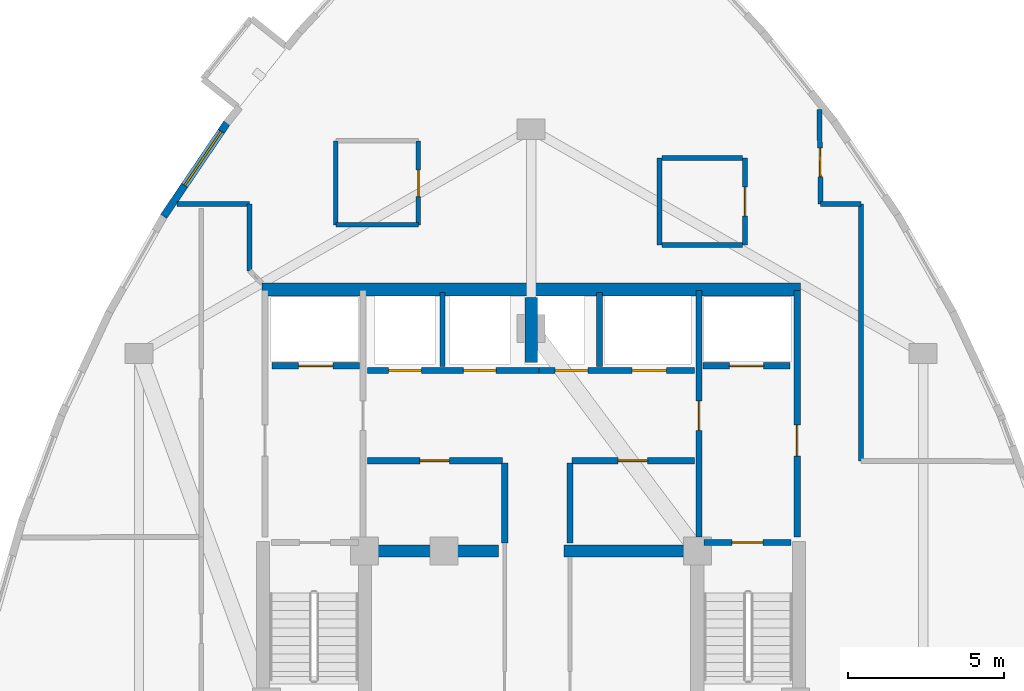
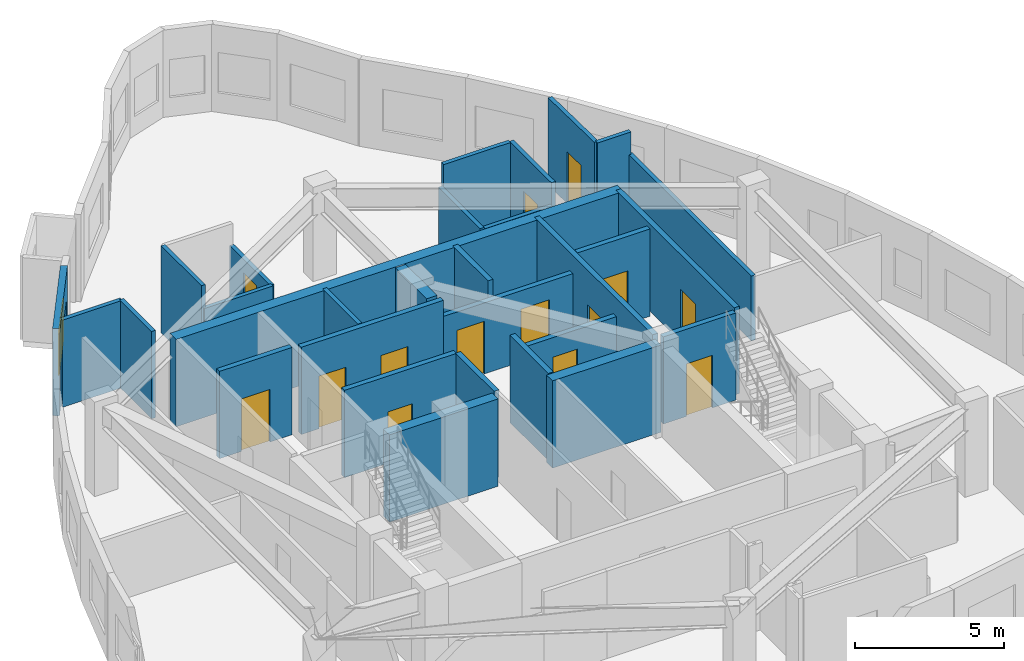
# One storey, part 6 of 9: 30 walls, 14 doors, 1 window, 15 openings.
"""IFC4 building model written with IfcOpenShell, lengths in metres."""

from ifc_helpers import new_model, si_unit, direction, frame, frame_2d, origin, place, context, subcontext, project, spatial, rectangle, extrude, material, layer, layer_set, type_object, element, fill, save


model = new_model("IFC4")

# Units and contexts
model_context = context("Model", 3, precision=1e-05, world=origin(), true_north=direction((0.0, 1.0)))
body_context = subcontext(model_context, "Body", "Model", "MODEL_VIEW")
ifc_project = project(units=[si_unit("LENGTHUNIT", "METRE"), si_unit("AREAUNIT", "SQUARE_METRE"), si_unit("VOLUMEUNIT", "CUBIC_METRE"), si_unit("PLANEANGLEUNIT", "RADIAN"), si_unit("MASSUNIT", "GRAM", prefix="KILO")], contexts=[model_context])

# Site, building, storey
site_placement = place(None, origin())
site = spatial("IfcSite", under=ifc_project, at=site_placement, CompositionType="ELEMENT")
building_placement = place(site_placement, origin())
building = spatial("IfcBuilding", under=site, at=building_placement, Name="Miruveldt Soraemaru", CompositionType="ELEMENT")
storey_placement = place(building_placement, frame((0.0, 0.0, 275.10009765625)))
storey = spatial("IfcBuildingStorey", under=building, at=storey_placement, Name="L75", CompositionType="ELEMENT", Elevation=275.10009765625)

# Walls
ifc_material_1 = material(Name="Concrete C70/85 (70 MPa)", Category="concrete")
ifc_layer_1 = layer(ifc_material_1, 0.5, Name="Concrete C70/85 (70 MPa)", Category="concrete")
ifc_layer_set_1 = layer_set([ifc_layer_1], Name="Concrete C70/85 (70 MPa)")
wall_type_1 = type_object("IfcWallType", Name="WALL-BW-500", PredefinedType="SHEAR", material=ifc_layer_set_1)
wall_1_placement = place(storey_placement, frame((44.0, 50.10009765625, 0.0), z_axis=(0.0, 0.0, 1.0), x_axis=(0.0, 1.0, 0.0)))
element("IfcWall", 1, at=wall_1_placement, inside=storey, type_object=wall_type_1, Name="L75 Core Buttress Shear Wall BN", PredefinedType="SHEAR", context=body_context, shape_type="SweptSolid", body=[
    extrude(rectangle(XDim=2.099853515625, YDim=0.39990234375, at=frame_2d((1.0498046875, 0.0))), origin(), (0.0, 0.0, 1.0), 3.56494140625),
])
for number, where, z_axis, x_axis, name in (
    (2, (38.75, 44.050048828125, 0.0), (0.0, 0.0, 1.0), (1.0, 0.0, 0.0), "L75 Core Buttress Shear Wall BW"),
    (3, (45.050048828125, 44.050048828125, 0.0), (0.0, 0.0, 1.0), (1.0, 0.0, 0.0), "L75 Core Buttress Shear Wall BE"),
):
    element("IfcWall", number, at=place(storey_placement, frame(where, z_axis=z_axis, x_axis=x_axis)), inside=storey, type_object=wall_type_1, Name=name, PredefinedType="SHEAR", context=body_context, shape_type="SweptSolid", body=[
        extrude(rectangle(XDim=4.199951171875, YDim=0.39990234375, at=frame_2d((2.10009765625, 0.0))), origin(), (0.0, 0.0, 1.0), 3.56494140625),
    ])
ifc_material_2 = material(Name="Concrete C50/60 (50 MPa)", Category="concrete")
ifc_layer_2 = layer(ifc_material_2, 0.419921875, Name="Concrete C50/60 (50 MPa)", Category="concrete")
ifc_layer_set_2 = layer_set([ifc_layer_2], Name="Concrete C50/60 (50 MPa)")
wall_type_2 = type_object("IfcWallType", Name="WALL-CW-420", PredefinedType="SHEAR", material=ifc_layer_set_2)
wall_2_placement = place(storey_placement, frame((35.35009765625, 52.449951171875, 0.0), z_axis=(0.0, 0.0, 1.0), x_axis=(1.0, 0.0, 0.0)))
element("IfcWall", 4, at=wall_2_placement, inside=storey, type_object=wall_type_2, Name="L75 Central Core Shear Wall N", PredefinedType="SHEAR", context=body_context, shape_type="SweptSolid", body=[
    extrude(rectangle(XDim=17.2998046875, YDim=0.419921875, at=frame_2d((8.64990234375, 0.0))), origin(), (0.0, 0.0, 1.0), 3.56494140625),
])

# Wall, opening, window
ifc_material_3 = material(Name="Precast concrete C45/55 (45 MPa)", Category="concrete")
ifc_layer_3 = layer(ifc_material_3, 0.239990234375, Name="Precast concrete C45/55 (45 MPa)", Category="concrete")
ifc_layer_set_3 = layer_set([ifc_layer_3], Name="Precast concrete C45/55 (45 MPa)")
wall_type_3 = type_object("IfcWallType", Name="WALL-EXT-PC240", PredefinedType="SOLIDWALL", material=ifc_layer_set_3)
wall_3_placement = place(storey_placement, frame((34.2626953125, 57.860595703125, 0.0), z_axis=(0.0, 0.0, 1.0), x_axis=(-0.560834985452, -0.827927604983, 0.0)))
wall_3 = element("IfcWall", 5, at=wall_3_placement, inside=storey, type_object=wall_type_3, Name="L75 Precast Concrete Facade Wall 9", PredefinedType="SOLIDWALL", context=body_context, shape_type="SweptSolid", body=[
    extrude(rectangle(XDim=3.69189453125, YDim=0.239990234375, at=frame_2d((1.845947265625, 0.0))), origin(), (0.0, 0.0, 1.0), 3.56494140625),
])
opening_1_placement = place(wall_3_placement, frame((0.39111328125, 0.0, 0.800048828125)))
opening_1 = element("IfcOpeningElement", 6, at=opening_1_placement, cuts=wall_3, Name="Opening WN-1", PredefinedType="OPENING", context=body_context, shape_type="SweptSolid", body=[
    extrude(rectangle(XDim=2.10009765625, YDim=1.699951171875, at=frame_2d((1.050048828125, 0.85009765625))), frame((0.0, 0.1298828125, 0.0), z_axis=(0.0, -1.0, 0.0), x_axis=(1.0, 0.0, 0.0)), (0.0, 0.0, 1.0), 0.260009765625),
])
ifc_material_4 = material(Name="Triple low-e insulated glazing", Category="glass")
window_type = type_object("IfcWindowType", Name="WIN-PUNCH-2100x1700", PartitioningType="SINGLE_PANEL", PredefinedType="WINDOW", material=ifc_material_4)
window_placement = place(opening_1_placement, origin())
window = element("IfcWindow", 7, at=window_placement, inside=storey, type_object=window_type, Name="L75 Punched Triple-Glazed Window 09.1", OverallHeight=1.699951171875, OverallWidth=2.10009765625, PartitioningType="SINGLE_PANEL", PredefinedType="WINDOW", context=body_context, shape_type="SweptSolid", body=[
    extrude(rectangle(XDim=2.10009765625, YDim=1.699951171875, at=frame_2d((1.050048828125, 0.85009765625))), frame((0.0, 0.030029296875, 0.0), z_axis=(0.0, -1.0, 0.0), x_axis=(1.0, 0.0, 0.0)), (0.0, 0.0, 1.0), 0.06005859375),
])
fill(opening_1, window)

# Wall, opening, door
ifc_material_5 = material(Name="Gypsum plasterboard lining", Category="gypsum")
ifc_layer_4 = layer(ifc_material_5, 0.14990234375, Name="Gypsum plasterboard lining", Category="gypsum")
ifc_layer_set_4 = layer_set([ifc_layer_4], Name="Gypsum plasterboard lining")
wall_type_4 = type_object("IfcWallType", Name="WALL-INT-PLUMB", PredefinedType="PLUMBINGWALL", material=ifc_layer_set_4)
wall_4_placement = place(storey_placement, frame((40.376953125, 54.530029296875, 0.0), z_axis=(0.0, 0.0, 1.0), x_axis=(0.0, 1.0, 0.0)))
wall_4 = element("IfcWall", 8, at=wall_4_placement, inside=storey, type_object=wall_type_4, Name="L75 Partition Wall 13", PredefinedType="PLUMBINGWALL", context=body_context, shape_type="SweptSolid", body=[
    extrude(rectangle(XDim=2.699951171875, YDim=0.14990234375, at=frame_2d((1.35009765625, 0.0))), origin(), (0.0, 0.0, 1.0), 2.65283203125),
])
opening_2_placement = place(wall_4_placement, frame((0.909912109375, 0.0, 0.0)))
opening_2 = element("IfcOpeningElement", 9, at=opening_2_placement, cuts=wall_4, Name="Opening FD3", PredefinedType="OPENING", context=body_context, shape_type="SweptSolid", body=[
    extrude(rectangle(XDim=0.85009765625, YDim=2.10009765625, at=frame_2d((0.425048828125, 1.050048828125))), frame((0.0, 0.0849609375, 0.0), z_axis=(0.0, -1.0, 0.0), x_axis=(1.0, 0.0, 0.0)), (0.0, 0.0, 1.0), 0.169921875),
])
ifc_material_6 = material(Name="Anodised aluminium EN AW-6063 T6", Category="aluminium")
door_type_1 = type_object("IfcDoorType", Name="DOOR-FD3-850", OperationType="NOTDEFINED", PredefinedType="DOOR", material=ifc_material_6)
door_1_placement = place(opening_2_placement, origin())
door_1 = element("IfcDoor", 10, at=door_1_placement, inside=storey, type_object=door_type_1, Name="L75 Unit CL01 BTH Door", OperationType="SINGLE_SWING_RIGHT", OverallHeight=2.10009765625, OverallWidth=0.85009765625, PredefinedType="DOOR", context=body_context, shape_type="SweptSolid", body=[
    extrude(rectangle(XDim=0.85009765625, YDim=2.10009765625, at=frame_2d((0.425048828125, 1.050048828125))), frame((0.0, 0.02490234375, 0.0), z_axis=(0.0, -1.0, 0.0), x_axis=(1.0, 0.0, 0.0)), (0.0, 0.0, 1.0), 0.050048828125),
])
fill(opening_2, door_1)

# Walls
wall_5_placement = place(storey_placement, frame((37.72705078125, 57.22998046875, 0.0), z_axis=(0.0, 0.0, 1.0), x_axis=(0.0, -1.0, 0.0)))
element("IfcWall", 11, at=wall_5_placement, inside=storey, type_object=wall_type_4, Name="L75 Partition Wall 15", PredefinedType="PLUMBINGWALL", context=body_context, shape_type="SweptSolid", body=[
    extrude(rectangle(XDim=2.699951171875, YDim=0.14990234375, at=frame_2d((1.35009765625, 0.0))), origin(), (0.0, 0.0, 1.0), 3.56494140625),
])
wall_6_placement = place(storey_placement, frame((37.72705078125, 54.530029296875, 0.0), z_axis=(0.0, 0.0, 1.0), x_axis=(1.0, 0.0, 0.0)))
element("IfcWall", 12, at=wall_6_placement, inside=storey, type_object=wall_type_4, Name="L75 Partition Wall 16", PredefinedType="PLUMBINGWALL", context=body_context, shape_type="SweptSolid", body=[
    extrude(rectangle(XDim=2.64990234375, YDim=0.14990234375, at=frame_2d((1.324951171875, 0.0))), origin(), (0.0, 0.0, 1.0), 2.65283203125),
])

# Wall, opening, door
ifc_material_7 = material(Name="Concrete C40/50 (40 MPa)", Category="concrete")
ifc_layer_5 = layer(ifc_material_7, 0.159912109375, Name="Concrete C40/50 (40 MPa)", Category="concrete")
ifc_layer_set_5 = layer_set([ifc_layer_5], Name="Concrete C40/50 (40 MPa)")
wall_type_5 = type_object("IfcWallType", Name="WALL-INT-RC160", PredefinedType="SOLIDWALL", material=ifc_layer_set_5)
wall_7_placement = place(storey_placement, frame((53.304931640625, 55.199951171875, 0.0), z_axis=(0.0, 0.0, 1.0), x_axis=(-0.014151043498, 0.999899868971, 0.0)))
wall_7 = element("IfcWall", 13, at=wall_7_placement, inside=storey, type_object=wall_type_5, Name="L75 Partition Wall 21", PredefinedType="SOLIDWALL", context=body_context, shape_type="SweptSolid", body=[
    extrude(rectangle(XDim=3.036376953125, YDim=0.159912109375, at=frame_2d((1.51806640625, 0.0))), origin(), (0.0, 0.0, 1.0), 3.56494140625),
])
opening_3_placement = place(wall_7_placement, frame((0.8779296875, 0.0, 0.0)))
opening_3 = element("IfcOpeningElement", 14, at=opening_3_placement, cuts=wall_7, Name="Opening D3A", PredefinedType="OPENING", context=body_context, shape_type="SweptSolid", body=[
    extrude(rectangle(XDim=0.919921875, YDim=2.10009765625, at=frame_2d((0.4599609375, 1.050048828125))), frame((0.0, 0.08984375, 0.0), z_axis=(0.0, -1.0, 0.0), x_axis=(1.0, 0.0, 0.0)), (0.0, 0.0, 1.0), 0.179931640625),
])
door_type_2 = type_object("IfcDoorType", Name="DOOR-INT-920", OperationType="NOTDEFINED", PredefinedType="DOOR", material=ifc_material_6)
door_2_placement = place(opening_3_placement, origin())
door_2 = element("IfcDoor", 15, at=door_2_placement, inside=storey, type_object=door_type_2, Name="L75 Unit CL01 EXT Door", OperationType="SINGLE_SWING_RIGHT", OverallHeight=2.10009765625, OverallWidth=0.919921875, PredefinedType="DOOR", context=body_context, shape_type="SweptSolid", body=[
    extrude(rectangle(XDim=0.919921875, YDim=2.10009765625, at=frame_2d((0.4599609375, 1.050048828125))), frame((0.0, 0.02490234375, 0.0), z_axis=(0.0, -1.0, 0.0), x_axis=(1.0, 0.0, 0.0)), (0.0, 0.0, 1.0), 0.050048828125),
])
fill(opening_3, door_2)

wall_8_placement = place(storey_placement, frame((50.876953125, 53.8798828125, 0.0), z_axis=(0.0, 0.0, 1.0), x_axis=(0.0, 1.0, 0.0)))
wall_8 = element("IfcWall", 16, at=wall_8_placement, inside=storey, type_object=wall_type_5, Name="L75 Partition Wall 17", PredefinedType="SOLIDWALL", context=body_context, shape_type="SweptSolid", body=[
    extrude(rectangle(XDim=2.800048828125, YDim=0.159912109375, at=frame_2d((1.39990234375, 0.0))), origin(), (0.0, 0.0, 1.0), 3.56494140625),
])
opening_4_placement = place(wall_8_placement, frame((0.93994140625, 0.0, 0.0)))
opening_4 = element("IfcOpeningElement", 17, at=opening_4_placement, cuts=wall_8, Name="Opening D3A", PredefinedType="OPENING", context=body_context, shape_type="SweptSolid", body=[
    extrude(rectangle(XDim=0.919921875, YDim=2.10009765625, at=frame_2d((0.4599609375, 1.050048828125))), frame((0.0, 0.08984375, 0.0), z_axis=(0.0, -1.0, 0.0), x_axis=(1.0, 0.0, 0.0)), (0.0, 0.0, 1.0), 0.179931640625),
])
door_3_placement = place(opening_4_placement, origin())
door_3 = element("IfcDoor", 18, at=door_3_placement, inside=storey, type_object=door_type_2, Name="L75 Unit CL01 KIT Door", OperationType="SINGLE_SWING_LEFT", OverallHeight=2.10009765625, OverallWidth=0.919921875, PredefinedType="DOOR", context=body_context, shape_type="SweptSolid", body=[
    extrude(rectangle(XDim=0.919921875, YDim=2.10009765625, at=frame_2d((0.4599609375, 1.050048828125))), frame((0.0, 0.02490234375, 0.0), z_axis=(0.0, -1.0, 0.0), x_axis=(1.0, 0.0, 0.0)), (0.0, 0.0, 1.0), 0.050048828125),
])
fill(opening_4, door_3)

# Walls
wall_9_placement = place(storey_placement, frame((54.60009765625, 46.949951171875, 0.0), z_axis=(0.0, 0.0, 1.0), x_axis=(0.0, 1.0, 0.0)))
element("IfcWall", 19, at=wall_9_placement, inside=storey, type_object=wall_type_5, Name="L75 Partition Wall 32", PredefinedType="SOLIDWALL", context=body_context, shape_type="SweptSolid", body=[
    extrude(rectangle(XDim=8.25, YDim=0.159912109375, at=frame_2d((4.125, 0.0))), origin(), (0.0, 0.0, 1.0), 2.65283203125),
])
wall_10_placement = place(storey_placement, frame((48.126953125, 56.679931640625, 0.0), z_axis=(0.0, 0.0, 1.0), x_axis=(0.0, -1.0, 0.0)))
element("IfcWall", 20, at=wall_10_placement, inside=storey, type_object=wall_type_5, Name="L75 Partition Wall 19", PredefinedType="SOLIDWALL", context=body_context, shape_type="SweptSolid", body=[
    extrude(rectangle(XDim=2.800048828125, YDim=0.159912109375, at=frame_2d((1.39990234375, 0.0))), origin(), (0.0, 0.0, 1.0), 2.65283203125),
])
wall_11_placement = place(storey_placement, frame((50.797119140625, 56.679931640625, 0.0), z_axis=(0.0, 0.0, 1.0), x_axis=(-1.0, 0.0, 0.0)))
element("IfcWall", 21, at=wall_11_placement, inside=storey, type_object=wall_type_5, Name="L75 Partition Wall 18", PredefinedType="SOLIDWALL", context=body_context, shape_type="SweptSolid", body=[
    extrude(rectangle(XDim=2.590087890625, YDim=0.159912109375, at=frame_2d((1.294921875, 0.0))), origin(), (0.0, 0.0, 1.0), 3.56494140625),
])
wall_12_placement = place(storey_placement, frame((48.20703125, 53.8798828125, 0.0), z_axis=(0.0, 0.0, 1.0), x_axis=(1.0, 0.0, 0.0)))
element("IfcWall", 22, at=wall_12_placement, inside=storey, type_object=wall_type_5, Name="L75 Partition Wall 20", PredefinedType="SOLIDWALL", context=body_context, shape_type="SweptSolid", body=[
    extrude(rectangle(XDim=2.590087890625, YDim=0.159912109375, at=frame_2d((1.294921875, 0.0))), origin(), (0.0, 0.0, 1.0), 2.65283203125),
])
wall_13_placement = place(storey_placement, frame((41.14990234375, 49.97998046875, 0.0), z_axis=(0.0, 0.0, 1.0), x_axis=(0.0, 1.0, 0.0)))
element("IfcWall", 23, at=wall_13_placement, inside=storey, type_object=wall_type_5, Name="L75 Core Compartment Wall PLH-DIV1", PredefinedType="SOLIDWALL", context=body_context, shape_type="SweptSolid", body=[
    extrude(rectangle(XDim=2.3701171875, YDim=0.159912109375, at=frame_2d((1.18505859375, 0.0))), origin(), (0.0, 0.0, 1.0), 3.56494140625),
])
wall_14_placement = place(storey_placement, frame((34.949951171875, 55.199951171875, 0.0), z_axis=(0.0, 0.0, 1.0), x_axis=(-1.0, 0.0, 0.0)))
element("IfcWall", 24, at=wall_14_placement, inside=storey, type_object=wall_type_5, Name="L75 Partition Wall 2", PredefinedType="SOLIDWALL", context=body_context, shape_type="SweptSolid", body=[
    extrude(rectangle(XDim=2.326904296875, YDim=0.159912109375, at=frame_2d((1.16357421875, 0.0))), origin(), (0.0, 0.0, 1.0), 3.56494140625),
])
wall_15_placement = place(storey_placement, frame((34.949951171875, 53.052978515625, 0.0), z_axis=(0.0, 0.0, 1.0), x_axis=(0.0, 1.0, 0.0)))
element("IfcWall", 25, at=wall_15_placement, inside=storey, type_object=wall_type_5, Name="L75 Partition Wall 1", PredefinedType="SOLIDWALL", context=body_context, shape_type="SweptSolid", body=[
    extrude(rectangle(XDim=2.14697265625, YDim=0.159912109375, at=frame_2d((1.073486328125, 0.0))), origin(), (0.0, 0.0, 1.0), 3.56494140625),
])
wall_16_placement = place(storey_placement, frame((54.60009765625, 55.199951171875, 0.0), z_axis=(0.0, 0.0, 1.0), x_axis=(-1.0, 0.0, 0.0)))
element("IfcWall", 26, at=wall_16_placement, inside=storey, type_object=wall_type_5, Name="L75 Partition Wall 33", PredefinedType="SOLIDWALL", context=body_context, shape_type="SweptSolid", body=[
    extrude(rectangle(XDim=1.295166015625, YDim=0.159912109375, at=frame_2d((0.6474609375, 0.0))), origin(), (0.0, 0.0, 1.0), 3.56494140625),
])

# Wall, opening, door
ifc_layer_6 = layer(ifc_material_7, 0.199951171875, Name="Concrete C40/50 (40 MPa)", Category="concrete")
ifc_layer_set_6 = layer_set([ifc_layer_6], Name="Concrete C40/50 (40 MPa)")
wall_type_6 = type_object("IfcWallType", Name="WALL-INT-RC200", PredefinedType="SOLIDWALL", material=ifc_layer_set_6)
wall_17_placement = place(storey_placement, frame((52.550048828125, 44.5, 0.0), z_axis=(0.0, 0.0, 1.0), x_axis=(0.0, 1.0, 0.0)))
wall_17 = element("IfcWall", 27, at=wall_17_placement, inside=storey, type_object=wall_type_6, Name="L75 Core Compartment Wall FFE-OUT", PredefinedType="SOLIDWALL", context=body_context, shape_type="SweptSolid", body=[
    extrude(rectangle(XDim=7.919921875, YDim=0.199951171875, at=frame_2d((3.9599609375, 0.0))), origin(), (0.0, 0.0, 1.0), 3.56494140625),
])
opening_5_placement = place(wall_17_placement, frame((2.60009765625, 0.0, 0.0)))
opening_5 = element("IfcOpeningElement", 28, at=opening_5_placement, cuts=wall_17, Name="Opening FD1", PredefinedType="OPENING", context=body_context, shape_type="SweptSolid", body=[
    extrude(rectangle(XDim=1.0, YDim=2.14990234375, at=frame_2d((0.5, 1.074951171875))), frame((0.0, 0.10986328125, 0.0), z_axis=(0.0, -1.0, 0.0), x_axis=(1.0, 0.0, 0.0)), (0.0, 0.0, 1.0), 0.219970703125),
])
door_type_3 = type_object("IfcDoorType", Name="DOOR-FD1-1000", OperationType="NOTDEFINED", PredefinedType="DOOR", material=ifc_material_6)
door_4_placement = place(opening_5_placement, frame((1.0, 0.0, 0.0), z_axis=(0.0, 0.0, 1.0), x_axis=(-1.0, 0.0, 0.0)))
door_4 = element("IfcDoor", 29, at=door_4_placement, inside=storey, type_object=door_type_3, Name="L75 East Firefighting Lobby Exit Door", OperationType="SINGLE_SWING_RIGHT", OverallHeight=2.14990234375, OverallWidth=1.0, PredefinedType="DOOR", context=body_context, shape_type="SweptSolid", body=[
    extrude(rectangle(XDim=1.0, YDim=2.14990234375, at=frame_2d((0.5, 1.074951171875))), frame((0.0, 0.02490234375, 0.0), z_axis=(0.0, -1.0, 0.0), x_axis=(1.0, 0.0, 0.0)), (0.0, 0.0, 1.0), 0.050048828125),
])
fill(opening_5, door_4)

wall_18_placement = place(storey_placement, frame((49.39990234375, 44.5, 0.0), z_axis=(0.0, 0.0, 1.0), x_axis=(0.0, 1.0, 0.0)))
wall_18 = element("IfcWall", 30, at=wall_18_placement, inside=storey, type_object=wall_type_6, Name="L75 Core Compartment Wall FFE-IN", PredefinedType="SOLIDWALL", context=body_context, shape_type="SweptSolid", body=[
    extrude(rectangle(XDim=7.919921875, YDim=0.199951171875, at=frame_2d((3.9599609375, 0.0))), origin(), (0.0, 0.0, 1.0), 3.56494140625),
])
opening_6_placement = place(wall_18_placement, frame((3.425048828125, 0.0, 0.0)))
opening_6 = element("IfcOpeningElement", 31, at=opening_6_placement, cuts=wall_18, Name="Opening FD2", PredefinedType="OPENING", context=body_context, shape_type="SweptSolid", body=[
    extrude(rectangle(XDim=0.949951171875, YDim=2.14990234375, at=frame_2d((0.47509765625, 1.074951171875))), frame((0.0, 0.10986328125, 0.0), z_axis=(0.0, -1.0, 0.0), x_axis=(1.0, 0.0, 0.0)), (0.0, 0.0, 1.0), 0.219970703125),
])
door_type_4 = type_object("IfcDoorType", Name="DOOR-FD2-950", OperationType="NOTDEFINED", PredefinedType="DOOR", material=ifc_material_6)
door_5_placement = place(opening_6_placement, origin())
door_5 = element("IfcDoor", 32, at=door_5_placement, inside=storey, type_object=door_type_4, Name="L75 Lift Lobby to East Fire Lobby Door", OperationType="SINGLE_SWING_LEFT", OverallHeight=2.14990234375, OverallWidth=0.949951171875, PredefinedType="DOOR", context=body_context, shape_type="SweptSolid", body=[
    extrude(rectangle(XDim=0.949951171875, YDim=2.14990234375, at=frame_2d((0.47509765625, 1.074951171875))), frame((0.0, 0.02490234375, 0.0), z_axis=(0.0, -1.0, 0.0), x_axis=(1.0, 0.0, 0.0)), (0.0, 0.0, 1.0), 0.050048828125),
])
fill(opening_6, door_5)

# Wall, openings, doors
wall_19_placement = place(storey_placement, frame((38.75, 49.85009765625, 0.0), z_axis=(0.0, 0.0, 1.0), x_axis=(1.0, 0.0, 0.0)))
wall_19 = element("IfcWall", 33, at=wall_19_placement, inside=storey, type_object=wall_type_6, Name="L75 Core Compartment Wall ROWA-SW", PredefinedType="SOLIDWALL", context=body_context, shape_type="SweptSolid", body=[
    extrude(rectangle(XDim=5.5, YDim=0.199951171875, at=frame_2d((2.75, 0.0))), origin(), (0.0, 0.0, 1.0), 3.56494140625),
])
opening_7_placement = place(wall_19_placement, frame((0.675048828125, 0.0, 0.0)))
opening_7 = element("IfcOpeningElement", 34, at=opening_7_placement, cuts=wall_19, Name="Opening LD1", PredefinedType="OPENING", context=body_context, shape_type="SweptSolid", body=[
    extrude(rectangle(XDim=1.050048828125, YDim=2.14990234375, at=frame_2d((0.52490234375, 1.074951171875))), frame((0.0, 0.10986328125, 0.0), z_axis=(0.0, -1.0, 0.0), x_axis=(1.0, 0.0, 0.0)), (0.0, 0.0, 1.0), 0.219970703125),
])
opening_8_placement = place(wall_19_placement, frame((3.074951171875, 0.0, 0.0)))
opening_8 = element("IfcOpeningElement", 35, at=opening_8_placement, cuts=wall_19, Name="Opening LD1", PredefinedType="OPENING", context=body_context, shape_type="SweptSolid", body=[
    extrude(rectangle(XDim=1.050048828125, YDim=2.14990234375, at=frame_2d((0.52490234375, 1.074951171875))), frame((0.0, 0.10986328125, 0.0), z_axis=(0.0, -1.0, 0.0), x_axis=(1.0, 0.0, 0.0)), (0.0, 0.0, 1.0), 0.219970703125),
])
door_type_5 = type_object("IfcDoorType", Name="DOOR-LD1-1050", OperationType="SLIDING_TO_LEFT", PredefinedType="DOOR", material=ifc_material_6)
door_6_placement = place(opening_7_placement, origin())
door_6 = element("IfcDoor", 36, at=door_6_placement, inside=storey, type_object=door_type_5, Name="L75 PL-H1 Landing Door", OperationType="SLIDING_TO_LEFT", OverallHeight=2.14990234375, OverallWidth=1.050048828125, PredefinedType="DOOR", context=body_context, shape_type="SweptSolid", body=[
    extrude(rectangle(XDim=1.050048828125, YDim=2.14990234375, at=frame_2d((0.52490234375, 1.074951171875))), frame((0.0, 0.02490234375, 0.0), z_axis=(0.0, -1.0, 0.0), x_axis=(1.0, 0.0, 0.0)), (0.0, 0.0, 1.0), 0.050048828125),
])
fill(opening_7, door_6)
door_7_placement = place(opening_8_placement, origin())
door_7 = element("IfcDoor", 37, at=door_7_placement, inside=storey, type_object=door_type_5, Name="L75 PL-H2 Landing Door", OperationType="SLIDING_TO_LEFT", OverallHeight=2.14990234375, OverallWidth=1.050048828125, PredefinedType="DOOR", context=body_context, shape_type="SweptSolid", body=[
    extrude(rectangle(XDim=1.050048828125, YDim=2.14990234375, at=frame_2d((0.52490234375, 1.074951171875))), frame((0.0, 0.02490234375, 0.0), z_axis=(0.0, -1.0, 0.0), x_axis=(1.0, 0.0, 0.0)), (0.0, 0.0, 1.0), 0.050048828125),
])
fill(opening_8, door_7)

wall_20_placement = place(storey_placement, frame((44.25, 49.85009765625, 0.0), z_axis=(0.0, 0.0, 1.0), x_axis=(1.0, 0.0, 0.0)))
wall_20 = element("IfcWall", 38, at=wall_20_placement, inside=storey, type_object=wall_type_6, Name="L75 Core Compartment Wall ROWA-SE", PredefinedType="SOLIDWALL", context=body_context, shape_type="SweptSolid", body=[
    extrude(rectangle(XDim=5.0, YDim=0.199951171875, at=frame_2d((2.5, 0.0))), origin(), (0.0, 0.0, 1.0), 2.90283203125),
])
opening_9_placement = place(wall_20_placement, frame((0.52490234375, 0.0, 0.0)))
opening_9 = element("IfcOpeningElement", 39, at=opening_9_placement, cuts=wall_20, Name="Opening LD1", PredefinedType="OPENING", context=body_context, shape_type="SweptSolid", body=[
    extrude(rectangle(XDim=1.050048828125, YDim=2.14990234375, at=frame_2d((0.52490234375, 1.074951171875))), frame((0.0, 0.10986328125, 0.0), z_axis=(0.0, -1.0, 0.0), x_axis=(1.0, 0.0, 0.0)), (0.0, 0.0, 1.0), 0.219970703125),
])
opening_10_placement = place(wall_20_placement, frame((3.0, 0.0, 0.0)))
opening_10 = element("IfcOpeningElement", 40, at=opening_10_placement, cuts=wall_20, Name="Opening LD2", PredefinedType="OPENING", context=body_context, shape_type="SweptSolid", body=[
    extrude(rectangle(XDim=1.10009765625, YDim=2.14990234375, at=frame_2d((0.550048828125, 1.074951171875))), frame((0.0, 0.10986328125, 0.0), z_axis=(0.0, -1.0, 0.0), x_axis=(1.0, 0.0, 0.0)), (0.0, 0.0, 1.0), 0.219970703125),
])
door_8_placement = place(opening_9_placement, origin())
door_8 = element("IfcDoor", 41, at=door_8_placement, inside=storey, type_object=door_type_5, Name="L75 PL-H3 Landing Door", OperationType="SLIDING_TO_LEFT", OverallHeight=2.14990234375, OverallWidth=1.050048828125, PredefinedType="DOOR", context=body_context, shape_type="SweptSolid", body=[
    extrude(rectangle(XDim=1.050048828125, YDim=2.14990234375, at=frame_2d((0.52490234375, 1.074951171875))), frame((0.0, 0.02490234375, 0.0), z_axis=(0.0, -1.0, 0.0), x_axis=(1.0, 0.0, 0.0)), (0.0, 0.0, 1.0), 0.050048828125),
])
fill(opening_9, door_8)
door_type_6 = type_object("IfcDoorType", Name="DOOR-LD2-1100", OperationType="SLIDING_TO_LEFT", PredefinedType="DOOR", material=ifc_material_6)
door_9_placement = place(opening_10_placement, origin())
door_9 = element("IfcDoor", 42, at=door_9_placement, inside=storey, type_object=door_type_6, Name="L75 SL-1 Landing Door", OperationType="SLIDING_TO_LEFT", OverallHeight=2.14990234375, OverallWidth=1.10009765625, PredefinedType="DOOR", context=body_context, shape_type="SweptSolid", body=[
    extrude(rectangle(XDim=1.10009765625, YDim=2.14990234375, at=frame_2d((0.550048828125, 1.074951171875))), frame((0.0, 0.02490234375, 0.0), z_axis=(0.0, -1.0, 0.0), x_axis=(1.0, 0.0, 0.0)), (0.0, 0.0, 1.0), 0.050048828125),
])
fill(opening_10, door_9)

# Wall, opening, door
wall_21_placement = place(storey_placement, frame((38.75, 46.949951171875, 0.0), z_axis=(0.0, 0.0, 1.0), x_axis=(1.0, 0.0, 0.0)))
wall_21 = element("IfcWall", 43, at=wall_21_placement, inside=storey, type_object=wall_type_6, Name="L75 Core Compartment Wall MBW-N", PredefinedType="SOLIDWALL", context=body_context, shape_type="SweptSolid", body=[
    extrude(rectangle(XDim=4.330078125, YDim=0.199951171875, at=frame_2d((2.1650390625, 0.0))), origin(), (0.0, 0.0, 1.0), 3.56494140625),
])
opening_11_placement = place(wall_21_placement, frame((1.675048828125, 0.0, 0.0)))
opening_11 = element("IfcOpeningElement", 44, at=opening_11_placement, cuts=wall_21, Name="Opening D2", PredefinedType="OPENING", context=body_context, shape_type="SweptSolid", body=[
    extrude(rectangle(XDim=0.949951171875, YDim=2.10009765625, at=frame_2d((0.47509765625, 1.050048828125))), frame((0.0, 0.10986328125, 0.0), z_axis=(0.0, -1.0, 0.0), x_axis=(1.0, 0.0, 0.0)), (0.0, 0.0, 1.0), 0.219970703125),
])
door_type_7 = type_object("IfcDoorType", Name="DOOR-INT-950", OperationType="NOTDEFINED", PredefinedType="DOOR", material=ifc_material_6)
door_10_placement = place(opening_11_placement, origin())
door_10 = element("IfcDoor", 45, at=door_10_placement, inside=storey, type_object=door_type_7, Name="L75 Fire Door", OperationType="SINGLE_SWING_LEFT", OverallHeight=2.10009765625, OverallWidth=0.949951171875, PredefinedType="DOOR", context=body_context, shape_type="SweptSolid", body=[
    extrude(rectangle(XDim=0.949951171875, YDim=2.10009765625, at=frame_2d((0.47509765625, 1.050048828125))), frame((0.0, 0.02490234375, 0.0), z_axis=(0.0, -1.0, 0.0), x_axis=(1.0, 0.0, 0.0)), (0.0, 0.0, 1.0), 0.050048828125),
])
fill(opening_11, door_10)

wall_22_placement = place(storey_placement, frame((45.320068359375, 46.949951171875, 0.0), z_axis=(0.0, 0.0, 1.0), x_axis=(1.0, 0.0, 0.0)))
wall_22 = element("IfcWall", 46, at=wall_22_placement, inside=storey, type_object=wall_type_6, Name="L75 Core Compartment Wall MBE-N", PredefinedType="SOLIDWALL", context=body_context, shape_type="SweptSolid", body=[
    extrude(rectangle(XDim=3.929931640625, YDim=0.199951171875, at=frame_2d((1.96484375, 0.0))), origin(), (0.0, 0.0, 1.0), 2.90283203125),
])
opening_12_placement = place(wall_22_placement, frame((1.47509765625, 0.0, 0.0)))
opening_12 = element("IfcOpeningElement", 47, at=opening_12_placement, cuts=wall_22, Name="Opening D2", PredefinedType="OPENING", context=body_context, shape_type="SweptSolid", body=[
    extrude(rectangle(XDim=0.949951171875, YDim=2.10009765625, at=frame_2d((0.47509765625, 1.050048828125))), frame((0.0, 0.10986328125, 0.0), z_axis=(0.0, -1.0, 0.0), x_axis=(1.0, 0.0, 0.0)), (0.0, 0.0, 1.0), 0.219970703125),
])
door_11_placement = place(opening_12_placement, origin())
door_11 = element("IfcDoor", 48, at=door_11_placement, inside=storey, type_object=door_type_7, Name="L75 Fire Door", OperationType="SINGLE_SWING_LEFT", OverallHeight=2.10009765625, OverallWidth=0.949951171875, PredefinedType="DOOR", context=body_context, shape_type="SweptSolid", body=[
    extrude(rectangle(XDim=0.949951171875, YDim=2.10009765625, at=frame_2d((0.47509765625, 1.050048828125))), frame((0.0, 0.02490234375, 0.0), z_axis=(0.0, -1.0, 0.0), x_axis=(1.0, 0.0, 0.0)), (0.0, 0.0, 1.0), 0.050048828125),
])
fill(opening_12, door_11)

wall_23_placement = place(storey_placement, frame((49.550048828125, 44.320068359375, 0.0), z_axis=(0.0, 0.0, 1.0), x_axis=(1.0, 0.0, 0.0)))
wall_23 = element("IfcWall", 49, at=wall_23_placement, inside=storey, type_object=wall_type_6, Name="L75 Core Compartment Wall ST2-N", PredefinedType="SOLIDWALL", context=body_context, shape_type="SweptSolid", body=[
    extrude(rectangle(XDim=2.800048828125, YDim=0.199951171875, at=frame_2d((1.39990234375, 0.0))), origin(), (0.0, 0.0, 1.0), 3.56494140625),
])
opening_13_placement = place(wall_23_placement, frame((0.89990234375, 0.0, 0.0)))
opening_13 = element("IfcOpeningElement", 50, at=opening_13_placement, cuts=wall_23, Name="Opening FD1", PredefinedType="OPENING", context=body_context, shape_type="SweptSolid", body=[
    extrude(rectangle(XDim=1.0, YDim=2.14990234375, at=frame_2d((0.5, 1.074951171875))), frame((0.0, 0.10986328125, 0.0), z_axis=(0.0, -1.0, 0.0), x_axis=(1.0, 0.0, 0.0)), (0.0, 0.0, 1.0), 0.219970703125),
])
door_12_placement = place(opening_13_placement, frame((1.0, 0.0, 0.0), z_axis=(0.0, 0.0, 1.0), x_axis=(-1.0, 0.0, 0.0)))
door_12 = element("IfcDoor", 51, at=door_12_placement, inside=storey, type_object=door_type_3, Name="L75 Stair ST-2 Fire Door", OperationType="SINGLE_SWING_RIGHT", OverallHeight=2.14990234375, OverallWidth=1.0, PredefinedType="DOOR", context=body_context, shape_type="SweptSolid", body=[
    extrude(rectangle(XDim=1.0, YDim=2.14990234375, at=frame_2d((0.5, 1.074951171875))), frame((0.0, 0.02490234375, 0.0), z_axis=(0.0, -1.0, 0.0), x_axis=(1.0, 0.0, 0.0)), (0.0, 0.0, 1.0), 0.050048828125),
])
fill(opening_13, door_12)

wall_24_placement = place(storey_placement, frame((35.679931640625, 50.0, 0.0), z_axis=(0.0, 0.0, 1.0), x_axis=(1.0, 0.0, 0.0)))
wall_24 = element("IfcWall", 52, at=wall_24_placement, inside=storey, type_object=wall_type_6, Name="L75 Core Compartment Wall FFL1-S", PredefinedType="SOLIDWALL", context=body_context, shape_type="SweptSolid", body=[
    extrude(rectangle(XDim=2.800048828125, YDim=0.199951171875, at=frame_2d((1.39990234375, 0.0))), origin(), (0.0, 0.0, 1.0), 3.56494140625),
])
opening_14_placement = place(wall_24_placement, frame((0.85009765625, 0.0, 0.0)))
opening_14 = element("IfcOpeningElement", 53, at=opening_14_placement, cuts=wall_24, Name="Opening LD2", PredefinedType="OPENING", context=body_context, shape_type="SweptSolid", body=[
    extrude(rectangle(XDim=1.10009765625, YDim=2.14990234375, at=frame_2d((0.550048828125, 1.074951171875))), frame((0.0, 0.10986328125, 0.0), z_axis=(0.0, -1.0, 0.0), x_axis=(1.0, 0.0, 0.0)), (0.0, 0.0, 1.0), 0.219970703125),
])
door_13_placement = place(opening_14_placement, origin())
door_13 = element("IfcDoor", 54, at=door_13_placement, inside=storey, type_object=door_type_6, Name="L75 FFL-1 Landing Door", OperationType="SLIDING_TO_LEFT", OverallHeight=2.14990234375, OverallWidth=1.10009765625, PredefinedType="DOOR", context=body_context, shape_type="SweptSolid", body=[
    extrude(rectangle(XDim=1.10009765625, YDim=2.14990234375, at=frame_2d((0.550048828125, 1.074951171875))), frame((0.0, 0.02490234375, 0.0), z_axis=(0.0, -1.0, 0.0), x_axis=(1.0, 0.0, 0.0)), (0.0, 0.0, 1.0), 0.050048828125),
])
fill(opening_14, door_13)

wall_25_placement = place(storey_placement, frame((49.52001953125, 50.0, 0.0), z_axis=(0.0, 0.0, 1.0), x_axis=(1.0, 0.0, 0.0)))
wall_25 = element("IfcWall", 55, at=wall_25_placement, inside=storey, type_object=wall_type_6, Name="L75 Core Compartment Wall FFL2-S", PredefinedType="SOLIDWALL", context=body_context, shape_type="SweptSolid", body=[
    extrude(rectangle(XDim=2.800048828125, YDim=0.199951171875, at=frame_2d((1.39990234375, 0.0))), origin(), (0.0, 0.0, 1.0), 3.56494140625),
])
opening_15_placement = place(wall_25_placement, frame((0.85009765625, 0.0, 0.0)))
opening_15 = element("IfcOpeningElement", 56, at=opening_15_placement, cuts=wall_25, Name="Opening LD2", PredefinedType="OPENING", context=body_context, shape_type="SweptSolid", body=[
    extrude(rectangle(XDim=1.10009765625, YDim=2.14990234375, at=frame_2d((0.550048828125, 1.074951171875))), frame((0.0, 0.10986328125, 0.0), z_axis=(0.0, -1.0, 0.0), x_axis=(1.0, 0.0, 0.0)), (0.0, 0.0, 1.0), 0.219970703125),
])
door_14_placement = place(opening_15_placement, origin())
door_14 = element("IfcDoor", 57, at=door_14_placement, inside=storey, type_object=door_type_6, Name="L75 FFL-2 Landing Door", OperationType="SLIDING_TO_LEFT", OverallHeight=2.14990234375, OverallWidth=1.10009765625, PredefinedType="DOOR", context=body_context, shape_type="SweptSolid", body=[
    extrude(rectangle(XDim=1.10009765625, YDim=2.14990234375, at=frame_2d((0.550048828125, 1.074951171875))), frame((0.0, 0.02490234375, 0.0), z_axis=(0.0, -1.0, 0.0), x_axis=(1.0, 0.0, 0.0)), (0.0, 0.0, 1.0), 0.050048828125),
])
fill(opening_15, door_14)

# Walls
for number, where, z_axis, x_axis, name in (
    (58, (43.14990234375, 44.300048828125, 0.0), (0.0, 0.0, 1.0), (0.0, 1.0, 0.0), "L75 Core Compartment Wall SP-WB"),
    (59, (45.25, 44.300048828125, 0.0), (0.0, 0.0, 1.0), (0.0, 1.0, 0.0), "L75 Core Compartment Wall SP-EB"),
):
    element("IfcWall", number, at=place(storey_placement, frame(where, z_axis=z_axis, x_axis=x_axis)), inside=storey, type_object=wall_type_6, Name=name, PredefinedType="SOLIDWALL", context=body_context, shape_type="SweptSolid", body=[
        extrude(rectangle(XDim=2.579833984375, YDim=0.199951171875, at=frame_2d((1.2900390625, 0.0))), origin(), (0.0, 0.0, 1.0), 3.56494140625),
    ])
wall_26_placement = place(storey_placement, frame((46.199951171875, 49.97998046875, 0.0), z_axis=(0.0, 0.0, 1.0), x_axis=(0.0, 1.0, 0.0)))
element("IfcWall", 60, at=wall_26_placement, inside=storey, type_object=wall_type_6, Name="L75 Core Compartment Wall PLH-SL-DIV", PredefinedType="SOLIDWALL", context=body_context, shape_type="SweptSolid", body=[
    extrude(rectangle(XDim=2.3701171875, YDim=0.199951171875, at=frame_2d((1.18505859375, 0.0))), origin(), (0.0, 0.0, 1.0), 3.56494140625),
])

save(model, "model.ifc")
